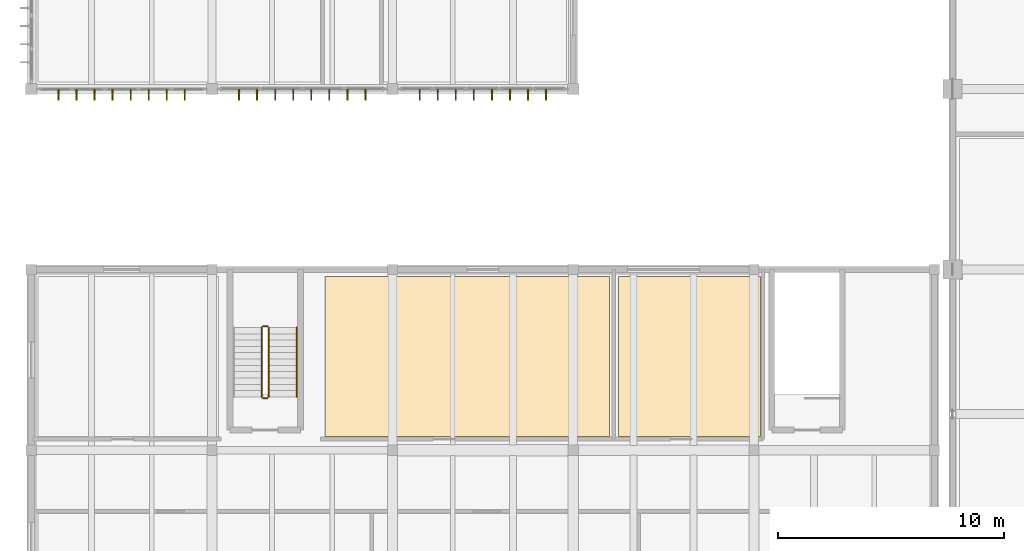
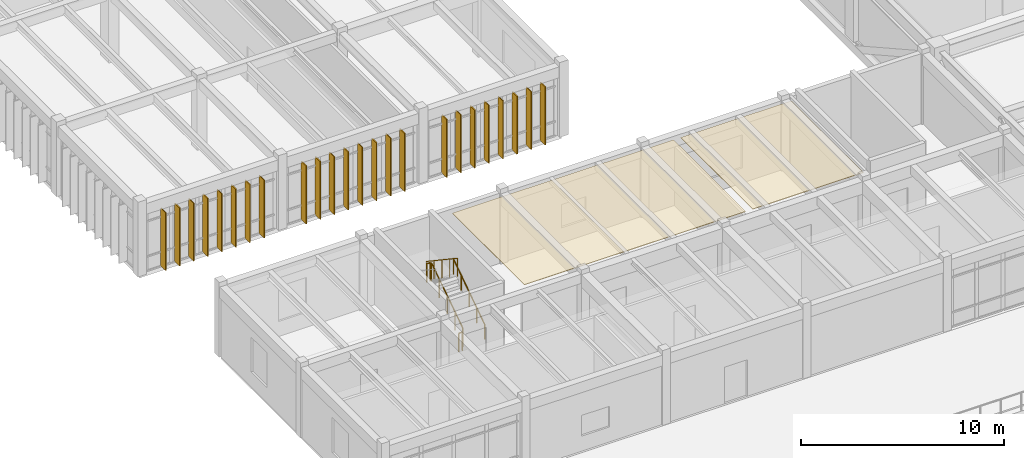
# One storey, part 65 of 79: 24 shading devices, 5 railings, 2 coverings.
"""IFC4 building model written with IfcOpenShell, lengths in metres."""

from ifc_helpers import new_model, si_unit, direction, frame, origin, origin_2d, place, context, subcontext, project, spatial, polyline, rectangle, circle, outline, extrude, material, layer, layer_set, type_object, element, save


model = new_model("IFC4")

# Units and contexts
model_context = context("Model", 3, precision=1e-05, world=origin(), true_north=direction((0.0, 1.0)))
body_context = subcontext(model_context, "Body", "Model", "MODEL_VIEW")
ifc_project = project(units=[si_unit("LENGTHUNIT", "METRE"), si_unit("AREAUNIT", "SQUARE_METRE"), si_unit("VOLUMEUNIT", "CUBIC_METRE"), si_unit("PLANEANGLEUNIT", "RADIAN"), si_unit("MASSUNIT", "GRAM", prefix="KILO")], contexts=[model_context])

# Site, building, storey
site_placement = place(None, origin())
site = spatial("IfcSite", under=ifc_project, at=site_placement, CompositionType="ELEMENT")
building_placement = place(site_placement, origin())
building = spatial("IfcBuilding", under=site, at=building_placement, Name="Tlaxcora Railside Police Headquarters", CompositionType="ELEMENT")
storey_placement = place(building_placement, frame((0.0, 0.0, 9.0)))
storey = spatial("IfcBuildingStorey", under=building, at=storey_placement, Name="L02", CompositionType="ELEMENT", Elevation=9.0)

# Coverings
ifc_material_1 = material(Name="Mineral-fibre acoustic ceiling tile")
ifc_layer_1 = layer(ifc_material_1, 0.034912109375, Name="Mineral-fibre acoustic ceiling tile")
ifc_layer_set_1 = layer_set([ifc_layer_1], Name="Mineral-fibre acoustic ceiling tile")
covering_type = type_object("IfcCoveringType", Name="Acoustic Suspended Ceiling CLG-01", PredefinedType="CEILING", material=ifc_layer_set_1)
covering_1_placement = place(storey_placement, frame((0.0, 0.0, 4.06494140625)))
element("IfcCovering", 1, at=covering_1_placement, inside=storey, type_object=covering_type, Name="Legal Aid and Citizen Records Room suspended ceiling", PredefinedType="CEILING", context=body_context, shape_type="SweptSolid", body=[
    extrude(outline(polyline([(18.199951171875, 35.699951171875), (18.199951171875, 28.60009765625), (30.800048828125, 28.60009765625), (30.800048828125, 35.699951171875), (18.199951171875, 35.699951171875)])), origin(), (0.0, 0.0, 1.0), 0.03515625),
])
covering_2_placement = place(storey_placement, frame((0.0, 0.0, 4.06494140625)))
element("IfcCovering", 2, at=covering_2_placement, inside=storey, type_object=covering_type, Name="Accessible WC and Restrooms V4 L02 suspended ceiling", PredefinedType="CEILING", context=body_context, shape_type="SweptSolid", body=[
    extrude(outline(polyline([(31.199951171875, 35.699951171875), (31.199951171875, 28.60009765625), (37.5, 28.60009765625), (37.5, 35.699951171875), (31.199951171875, 35.699951171875)])), origin(), (0.0, 0.0, 1.0), 0.03515625),
])

# Shading devices
ifc_material_2 = material(Name="Anodised aluminium framing", Category="aluminium")
ifc_layer_2 = layer(ifc_material_2, 0.054931640625, Name="Anodised aluminium framing")
ifc_layer_set_2 = layer_set([ifc_layer_2], Name="Anodised aluminium framing")
shading_device_type = type_object("IfcShadingDeviceType", Name="Solar Control Fin SF-01", PredefinedType="JALOUSIE", material=ifc_layer_set_2)
for number, where, z_axis, x_axis, name in (
    (3, (6.39990234375, 43.739990234375, 0.0400390625), (0.0, 0.0, 1.0), (0.0, -1.0, 0.0), "Vertical solar fin 139"),
    (4, (7.199951171875, 43.739990234375, 0.0400390625), (0.0, 0.0, 1.0), (0.0, -1.0, 0.0), "Vertical solar fin 140"),
    (5, (8.0, 43.739990234375, 0.0400390625), (0.0, 0.0, 1.0), (0.0, -1.0, 0.0), "Vertical solar fin 141"),
    (6, (8.800048828125, 43.739990234375, 0.0400390625), (0.0, 0.0, 1.0), (0.0, -1.0, 0.0), "Vertical solar fin 142"),
    (7, (9.60009765625, 43.739990234375, 0.0400390625), (0.0, 0.0, 1.0), (0.0, -1.0, 0.0), "Vertical solar fin 143"),
    (8, (10.39990234375, 43.739990234375, 0.0400390625), (0.0, 0.0, 1.0), (0.0, -1.0, 0.0), "Vertical solar fin 144"),
    (9, (11.199951171875, 43.739990234375, 0.0400390625), (0.0, 0.0, 1.0), (0.0, -1.0, 0.0), "Vertical solar fin 145"),
    (10, (12.0, 43.739990234375, 0.0400390625), (0.0, 0.0, 1.0), (0.0, -1.0, 0.0), "Vertical solar fin 146"),
    (11, (14.39990234375, 43.739990234375, 0.0400390625), (0.0, 0.0, 1.0), (0.0, -1.0, 0.0), "Vertical solar fin 147"),
    (12, (15.199951171875, 43.739990234375, 0.0400390625), (0.0, 0.0, 1.0), (0.0, -1.0, 0.0), "Vertical solar fin 148"),
    (13, (16.0, 43.739990234375, 0.0400390625), (0.0, 0.0, 1.0), (0.0, -1.0, 0.0), "Vertical solar fin 149"),
    (14, (16.800048828125, 43.739990234375, 0.0400390625), (0.0, 0.0, 1.0), (0.0, -1.0, 0.0), "Vertical solar fin 150"),
    (15, (17.60009765625, 43.739990234375, 0.0400390625), (0.0, 0.0, 1.0), (0.0, -1.0, 0.0), "Vertical solar fin 151"),
    (16, (18.39990234375, 43.739990234375, 0.0400390625), (0.0, 0.0, 1.0), (0.0, -1.0, 0.0), "Vertical solar fin 152"),
    (17, (19.199951171875, 43.739990234375, 0.0400390625), (0.0, 0.0, 1.0), (0.0, -1.0, 0.0), "Vertical solar fin 153"),
    (18, (20.0, 43.739990234375, 0.0400390625), (0.0, 0.0, 1.0), (0.0, -1.0, 0.0), "Vertical solar fin 154"),
    (19, (22.39990234375, 43.739990234375, 0.0400390625), (0.0, 0.0, 1.0), (0.0, -1.0, 0.0), "Vertical solar fin 155"),
    (20, (23.199951171875, 43.739990234375, 0.0400390625), (0.0, 0.0, 1.0), (0.0, -1.0, 0.0), "Vertical solar fin 156"),
    (21, (24.0, 43.739990234375, 0.0400390625), (0.0, 0.0, 1.0), (0.0, -1.0, 0.0), "Vertical solar fin 157"),
    (22, (24.800048828125, 43.739990234375, 0.0400390625), (0.0, 0.0, 1.0), (0.0, -1.0, 0.0), "Vertical solar fin 158"),
    (23, (25.60009765625, 43.739990234375, 0.0400390625), (0.0, 0.0, 1.0), (0.0, -1.0, 0.0), "Vertical solar fin 159"),
    (24, (26.39990234375, 43.739990234375, 0.0400390625), (0.0, 0.0, 1.0), (0.0, -1.0, 0.0), "Vertical solar fin 160"),
    (25, (27.199951171875, 43.739990234375, 0.0400390625), (0.0, 0.0, 1.0), (0.0, -1.0, 0.0), "Vertical solar fin 161"),
    (26, (28.0, 43.739990234375, 0.0400390625), (0.0, 0.0, 1.0), (0.0, -1.0, 0.0), "Vertical solar fin 162"),
):
    element("IfcShadingDevice", number, at=place(storey_placement, frame(where, z_axis=z_axis, x_axis=x_axis)), inside=storey, type_object=shading_device_type, Name=name, PredefinedType="JALOUSIE", context=body_context, shape_type="SweptSolid", body=[
        extrude(rectangle(XDim=0.47998046875, YDim=0.054931640625, at=origin_2d()), origin(), (0.0, 0.0, 1.0), 3.489990234375),
    ])

# Railings
ifc_material_3 = material(Name="Steel ASTM A992 Grade 50", Category="steel")
railing_type_1 = type_object("IfcRailingType", Name="Stair Well Guard Balustrade GR-02", PredefinedType="BALUSTRADE", material=ifc_material_3)
railing_1_placement = place(storey_placement, frame((15.7099609375, 30.360107421875, 0.1875)))
element("IfcRailing", 27, at=railing_1_placement, inside=storey, type_object=railing_type_1, Name="L02 ST6 stair guard 1", PredefinedType="BALUSTRADE", context=body_context, shape_type="SweptSolid", body=[
    extrude(circle(Radius=0.02392578125, at=origin_2d()), frame((0.0, 0.0, 1.09619140625), z_axis=(0.0, 0.830893310487, 0.556431762742), x_axis=(-1.0, 0.0, 0.0)), (0.0, 0.0, 1.0), 3.70654296875),
    extrude(circle(Radius=0.02099609375, at=origin_2d()), origin(), (0.0, 0.0, 1.0), 1.072021484375),
    extrude(circle(Radius=0.02099609375, at=origin_2d()), frame((0.0, 0.77001953125, 0.515625)), (0.0, 0.0, 1.0), 1.072021484375),
    extrude(circle(Radius=0.02099609375, at=origin_2d()), frame((0.0, 1.5400390625, 1.03125)), (0.0, 0.0, 1.0), 1.072021484375),
    extrude(circle(Radius=0.02099609375, at=origin_2d()), frame((0.0, 2.309814453125, 1.546875)), (0.0, 0.0, 1.0), 1.072021484375),
    extrude(circle(Radius=0.02099609375, at=origin_2d()), frame((0.0, 3.079833984375, 2.0625)), (0.0, 0.0, 1.0), 1.072021484375),
])
railing_2_placement = place(storey_placement, frame((15.659912109375, 33.489990234375, 2.25)))
element("IfcRailing", 28, at=railing_2_placement, inside=storey, type_object=railing_type_1, Name="L02 ST6 stair guard 2", PredefinedType="BALUSTRADE", context=body_context, shape_type="SweptSolid", body=[
    extrude(circle(Radius=0.02392578125, at=origin_2d()), frame((0.0, 0.0, 1.09619140625), z_axis=(-1.0, 0.0, 0.0), x_axis=(0.0, -1.0, 0.0)), (0.0, 0.0, 1.0), 0.199951171875),
    extrude(circle(Radius=0.02099609375, at=origin_2d()), origin(), (0.0, 0.0, 1.0), 1.072021484375),
    extrude(circle(Radius=0.02099609375, at=origin_2d()), frame((-0.199951171875, 0.0, 0.0)), (0.0, 0.0, 1.0), 1.072021484375),
])
railing_3_placement = place(storey_placement, frame((15.409912109375, 33.43994140625, 2.4375)))
element("IfcRailing", 29, at=railing_3_placement, inside=storey, type_object=railing_type_1, Name="L02 ST6 stair guard 3", PredefinedType="BALUSTRADE", context=body_context, shape_type="SweptSolid", body=[
    extrude(circle(Radius=0.02392578125, at=origin_2d()), frame((0.0, 0.0, 1.09619140625), z_axis=(0.0, -0.830893310487, 0.556431762742), x_axis=(1.0, 0.0, 0.0)), (0.0, 0.0, 1.0), 3.70654296875),
    extrude(circle(Radius=0.02099609375, at=origin_2d()), origin(), (0.0, 0.0, 1.0), 1.072021484375),
    extrude(circle(Radius=0.02099609375, at=origin_2d()), frame((0.0, -0.77001953125, 0.515625)), (0.0, 0.0, 1.0), 1.072021484375),
    extrude(circle(Radius=0.02099609375, at=origin_2d()), frame((0.0, -1.5400390625, 1.03125)), (0.0, 0.0, 1.0), 1.072021484375),
    extrude(circle(Radius=0.02099609375, at=origin_2d()), frame((0.0, -2.309814453125, 1.546875)), (0.0, 0.0, 1.0), 1.072021484375),
    extrude(circle(Radius=0.02099609375, at=origin_2d()), frame((0.0, -3.079833984375, 2.0625)), (0.0, 0.0, 1.0), 1.072021484375),
])
railing_4_placement = place(storey_placement, frame((15.659912109375, 30.31005859375, 0.0)))
element("IfcRailing", 30, at=railing_4_placement, inside=storey, type_object=railing_type_1, Name="L02 ST6 stair guard 4", PredefinedType="BALUSTRADE", context=body_context, shape_type="SweptSolid", body=[
    extrude(circle(Radius=0.02392578125, at=origin_2d()), frame((0.0, 0.0, 1.09619140625), z_axis=(-1.0, 0.0, 0.0), x_axis=(0.0, -1.0, 0.0)), (0.0, 0.0, 1.0), 0.199951171875),
    extrude(circle(Radius=0.02099609375, at=origin_2d()), origin(), (0.0, 0.0, 1.0), 1.072021484375),
    extrude(circle(Radius=0.02099609375, at=origin_2d()), frame((-0.199951171875, 0.0, 0.0)), (0.0, 0.0, 1.0), 1.072021484375),
])
railing_type_2 = type_object("IfcRailingType", Name="Stair and Ramp Handrail HR-01", PredefinedType="HANDRAIL", material=ifc_material_3)
railing_5_placement = place(storey_placement, frame((16.9599609375, 30.360107421875, 0.1875)))
element("IfcRailing", 31, at=railing_5_placement, inside=storey, type_object=railing_type_2, Name="L02 ST6 stair handrail 1", PredefinedType="HANDRAIL", context=body_context, shape_type="SweptSolid", body=[
    extrude(circle(Radius=0.02392578125, at=origin_2d()), frame((0.0, 0.0, 0.8759765625), z_axis=(0.0, 0.830893310487, 0.556431762742), x_axis=(-1.0, 0.0, 0.0)), (0.0, 0.0, 1.0), 3.70654296875),
    extrude(circle(Radius=0.02099609375, at=origin_2d()), origin(), (0.0, 0.0, 1.0), 0.851806640625),
    extrude(circle(Radius=0.02099609375, at=origin_2d()), frame((0.0, 0.77001953125, 0.515625)), (0.0, 0.0, 1.0), 0.851806640625),
    extrude(circle(Radius=0.02099609375, at=origin_2d()), frame((0.0, 1.5400390625, 1.03125)), (0.0, 0.0, 1.0), 0.851806640625),
    extrude(circle(Radius=0.02099609375, at=origin_2d()), frame((0.0, 2.309814453125, 1.546875)), (0.0, 0.0, 1.0), 0.851806640625),
    extrude(circle(Radius=0.02099609375, at=origin_2d()), frame((0.0, 3.079833984375, 2.0625)), (0.0, 0.0, 1.0), 0.851806640625),
])

save(model, "model.ifc")
